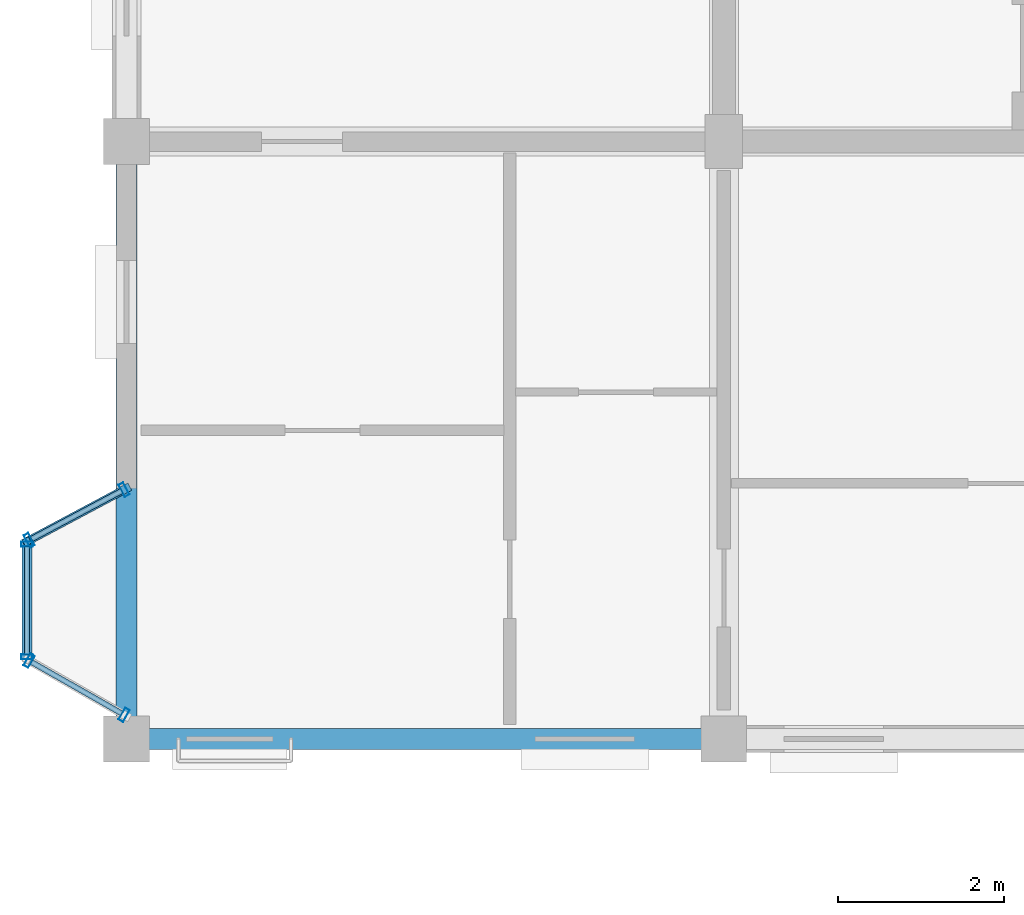
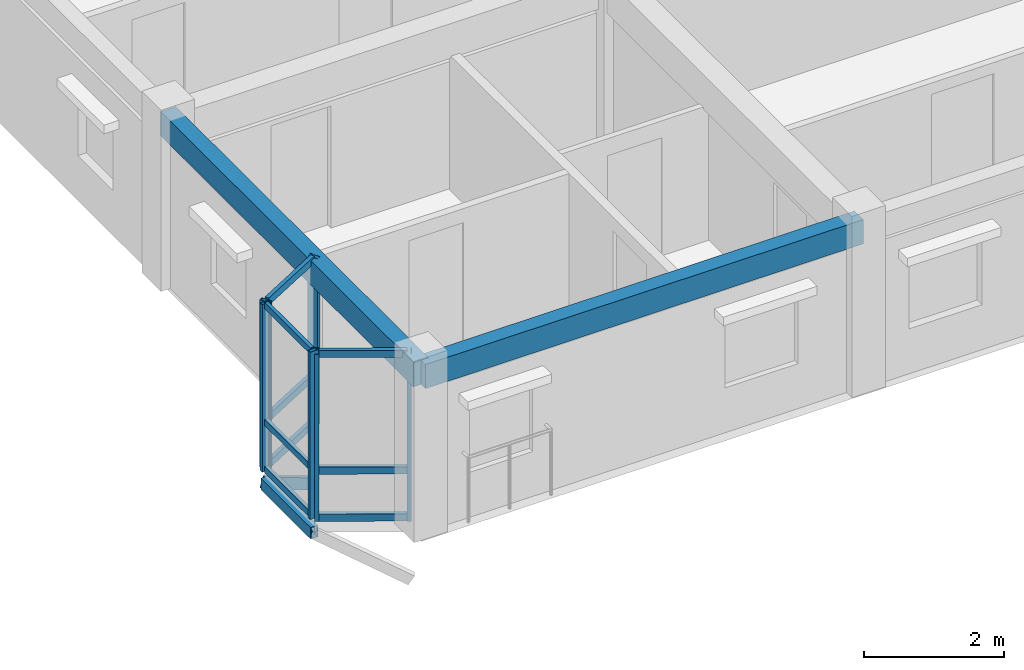
# One storey, part 13 of 75: 17 members, 2 beams, 3 elements without a shape of their own.
"""IFC4 building model written with IfcOpenShell, lengths in metres."""

from ifc_helpers import new_model, si_unit, direction, frame, origin, origin_2d, place, context, subcontext, project, spatial, rectangle, hollow_rectangle, extrude, material, layer, layer_set, material_profile, profile_set, type_object, element, aggregate, save


model = new_model("IFC4")

# Units and contexts
model_context = context("Model", 3, precision=1e-05, world=origin(), true_north=direction((0.0, 1.0)))
body_context = subcontext(model_context, "Body", "Model", "MODEL_VIEW")
ifc_project = project(units=[si_unit("LENGTHUNIT", "METRE"), si_unit("AREAUNIT", "SQUARE_METRE"), si_unit("VOLUMEUNIT", "CUBIC_METRE"), si_unit("PLANEANGLEUNIT", "RADIAN"), si_unit("MASSUNIT", "GRAM", prefix="KILO"), si_unit("THERMODYNAMICTEMPERATUREUNIT", "KELVIN"), si_unit("POWERUNIT", "WATT")], contexts=[model_context])

# Site, building, storey
site_placement = place(None, origin())
site = spatial("IfcSite", under=ifc_project, at=site_placement, CompositionType="ELEMENT")
building_placement = place(site_placement, origin())
building = spatial("IfcBuilding", under=site, at=building_placement, Name="Tavuni Mirador Residences", CompositionType="ELEMENT")
storey_placement = place(building_placement, frame((0.0, 0.0, 20.25)))
storey = spatial("IfcBuildingStorey", under=building, at=storey_placement, Name="L06", CompositionType="ELEMENT", Elevation=20.25)

# Beams
ifc_material_1 = material(Name="Precast concrete C40/50", Category="concrete")
ifc_material_profile_1 = material_profile(ifc_material_1, rectangle(XDim=0.25, YDim=0.419921875, at=origin_2d()), Name="PC 250x420", Category="concrete")
ifc_profile_set_1 = profile_set([ifc_material_profile_1], Name="Precast concrete C40/50")
beam_type = type_object("IfcBeamType", Name="BT-SP420", PredefinedType="SPANDREL", material=ifc_profile_set_1)
for number, where, z_axis, x_axis, name in (
    (1, (3.60009765625, 64.800048828125, 2.699951171875), (1.0, 0.0, 0.0), (0.0, 1.0, 0.0), "BMX-BLK-B-L06-00-00"),
    (2, (3.60009765625, 64.800048828125, 2.699951171875), (0.0, 1.0, 0.0), (-1.0, 0.0, 0.0), "BMY-BLK-B-L06-00-00"),
):
    element("IfcBeam", number, at=place(storey_placement, frame(where, z_axis=z_axis, x_axis=x_axis)), inside=storey, type_object=beam_type, Name=name, PredefinedType="SPANDREL", context=body_context, shape_type="SweptSolid", body=[
        extrude(rectangle(XDim=0.25, YDim=0.419921875, at=origin_2d()), origin(), (0.0, 0.0, 1.0), 7.199951171875),
    ])

# Curtain wall, members
ifc_material_2 = material(Name="Anodised aluminium", Category="aluminium")
ifc_layer_1 = layer(ifc_material_2, 0.175048828125, Name="Anodised aluminium", Category="aluminium")
ifc_layer_set_1 = layer_set([ifc_layer_1], Name="Anodised aluminium")
curtain_wall_type_1 = type_object("IfcCurtainWallType", Name="CWT-MIR-C", PredefinedType="NOTDEFINED", material=ifc_layer_set_1)
curtain_wall_1_placement = place(storey_placement, origin())
curtain_wall_1 = element("IfcCurtainWall", 3, at=curtain_wall_1_placement, inside=storey, type_object=curtain_wall_type_1, Name="CW-MIR-B-W1-L06-MF", PredefinedType="NOTDEFINED")
ifc_material_profile_2 = material_profile(ifc_material_2, hollow_rectangle(XDim=0.06005859375, YDim=0.139892578125, WallThickness=0.00390625, at=origin_2d()), Name="ALU 60x140x4.0", Category="aluminium")
ifc_profile_set_2 = profile_set([ifc_material_profile_2], Name="Anodised aluminium")
member_type_1 = type_object("IfcMemberType", Name="CWM-140", PredefinedType="MULLION", material=ifc_profile_set_2)
member_1_placement = place(storey_placement, frame((2.39990234375, 67.14990234375, 0.0), z_axis=(0.0, 0.0, 1.0), x_axis=(0.0, -1.0, 0.0)))
member_1 = element("IfcMember", 4, at=member_1_placement, type_object=member_type_1, Name="CW-03 mullion 1", PredefinedType="MULLION", context=body_context, shape_type="SweptSolid", body=[
    extrude(hollow_rectangle(XDim=0.06005859375, YDim=0.139892578125, WallThickness=0.00390625, at=origin_2d()), origin(), (0.0, 0.0, 1.0), 2.909912109375),
])
member_2_placement = place(storey_placement, frame((2.39990234375, 65.7900390625, 0.0), z_axis=(0.0, 0.0, 1.0), x_axis=(0.0, -1.0, 0.0)))
member_2 = element("IfcMember", 5, at=member_2_placement, type_object=member_type_1, Name="CW-03 mullion 2", PredefinedType="MULLION", context=body_context, shape_type="SweptSolid", body=[
    extrude(hollow_rectangle(XDim=0.06005859375, YDim=0.139892578125, WallThickness=0.00390625, at=origin_2d()), origin(), (0.0, 0.0, 1.0), 2.909912109375),
])

ifc_layer_2 = layer(ifc_material_2, 0.14990234375, Name="Anodised aluminium", Category="aluminium")
ifc_layer_set_2 = layer_set([ifc_layer_2], Name="Anodised aluminium")
curtain_wall_type_2 = type_object("IfcCurtainWallType", Name="CWT-MIR-B", PredefinedType="NOTDEFINED", material=ifc_layer_set_2)
curtain_wall_2_placement = place(storey_placement, origin())
curtain_wall_2 = element("IfcCurtainWall", 6, at=curtain_wall_2_placement, inside=storey, type_object=curtain_wall_type_2, Name="CW-MIR-B-W1-L06-M1", PredefinedType="NOTDEFINED")
ifc_material_profile_3 = material_profile(ifc_material_2, hollow_rectangle(XDim=0.06494140625, YDim=0.1650390625, WallThickness=0.00439453125, at=origin_2d()), Name="ALU 65x165x4.5", Category="aluminium")
ifc_profile_set_3 = profile_set([ifc_material_profile_3], Name="Anodised aluminium")
member_type_2 = type_object("IfcMemberType", Name="CWM-165", PredefinedType="MULLION", material=ifc_profile_set_3)
member_3_placement = place(storey_placement, frame((3.5712890625, 67.8046875, 0.0), z_axis=(0.0, 0.0, 1.0), x_axis=(-0.882352941175, -0.470588235296, 0.0)))
member_3 = element("IfcMember", 7, at=member_3_placement, type_object=member_type_2, Name="CW-02 mullion 1", PredefinedType="MULLION", context=body_context, shape_type="SweptSolid", body=[
    extrude(hollow_rectangle(XDim=0.06494140625, YDim=0.1650390625, WallThickness=0.00439453125, at=origin_2d()), origin(), (0.0, 0.0, 1.0), 2.909912109375),
])
member_4_placement = place(storey_placement, frame((2.4287109375, 67.1953125, 0.0), z_axis=(0.0, 0.0, 1.0), x_axis=(-0.882352941175, -0.470588235296, 0.0)))
member_4 = element("IfcMember", 8, at=member_4_placement, type_object=member_type_2, Name="CW-02 mullion 2", PredefinedType="MULLION", context=body_context, shape_type="SweptSolid", body=[
    extrude(hollow_rectangle(XDim=0.06494140625, YDim=0.1650390625, WallThickness=0.00439453125, at=origin_2d()), origin(), (0.0, 0.0, 1.0), 2.909912109375),
])

ifc_layer_3 = layer(ifc_material_2, 0.159912109375, Name="Anodised aluminium", Category="aluminium")
ifc_layer_set_3 = layer_set([ifc_layer_3], Name="Anodised aluminium")
curtain_wall_type_3 = type_object("IfcCurtainWallType", Name="CWT-MIR-D", PredefinedType="NOTDEFINED", material=ifc_layer_set_3)
curtain_wall_3_placement = place(storey_placement, origin())
curtain_wall_3 = element("IfcCurtainWall", 9, at=curtain_wall_3_placement, inside=storey, type_object=curtain_wall_type_3, Name="CW-MIR-B-W1-L06-M2", PredefinedType="NOTDEFINED")
member_5_placement = place(storey_placement, frame((2.42822265625, 65.743896484375, 0.0), z_axis=(0.0, 0.0, 1.0), x_axis=(0.868465738194, -0.495749192217, 0.0)))
member_5 = element("IfcMember", 10, at=member_5_placement, type_object=member_type_2, Name="CW-04 mullion 1", PredefinedType="MULLION", context=body_context, shape_type="SweptSolid", body=[
    extrude(hollow_rectangle(XDim=0.06494140625, YDim=0.1650390625, WallThickness=0.00439453125, at=origin_2d()), origin(), (0.0, 0.0, 1.0), 2.909912109375),
])
member_6_placement = place(storey_placement, frame((3.57177734375, 65.091064453125, 0.0), z_axis=(0.0, 0.0, 1.0), x_axis=(0.868465738194, -0.495749192217, 0.0)))
member_6 = element("IfcMember", 11, at=member_6_placement, type_object=member_type_2, Name="CW-04 mullion 2", PredefinedType="MULLION", context=body_context, shape_type="SweptSolid", body=[
    extrude(hollow_rectangle(XDim=0.06494140625, YDim=0.1650390625, WallThickness=0.00439453125, at=origin_2d()), origin(), (0.0, 0.0, 1.0), 2.909912109375),
])

# Member
ifc_material_profile_4 = material_profile(ifc_material_2, hollow_rectangle(XDim=0.06005859375, YDim=0.110107421875, WallThickness=0.00390625, at=origin_2d()), Name="ALU 60x110x4.0", Category="aluminium")
ifc_profile_set_4 = profile_set([ifc_material_profile_4], Name="Anodised aluminium")
member_type_3 = type_object("IfcMemberType", Name="CWT-110", PredefinedType="USERDEFINED", material=ifc_profile_set_4)
member_7_placement = place(storey_placement, frame((2.39990234375, 67.1201171875, 0.030029296875), z_axis=(0.0, -1.0, 0.0), x_axis=(1.0, 0.0, 0.0)))
member_7 = element("IfcMember", 12, at=member_7_placement, type_object=member_type_3, Name="CW-03 transom 1.1", ObjectType="TRANSOM", PredefinedType="USERDEFINED", context=body_context, shape_type="SweptSolid", body=[
    extrude(hollow_rectangle(XDim=0.06005859375, YDim=0.110107421875, WallThickness=0.00390625, at=origin_2d()), origin(), (0.0, 0.0, 1.0), 1.300048828125),
])

member_8_placement = place(storey_placement, frame((2.39990234375, 67.1201171875, 0.85009765625), z_axis=(0.0, -1.0, 0.0), x_axis=(1.0, 0.0, 0.0)))
member_8 = element("IfcMember", 13, at=member_8_placement, type_object=member_type_3, Name="CW-03 transom 1.2", ObjectType="TRANSOM", PredefinedType="USERDEFINED", context=body_context, shape_type="SweptSolid", body=[
    extrude(hollow_rectangle(XDim=0.06005859375, YDim=0.110107421875, WallThickness=0.00390625, at=origin_2d()), origin(), (0.0, 0.0, 1.0), 1.300048828125),
])

member_9_placement = place(storey_placement, frame((2.39990234375, 67.1201171875, 2.8798828125), z_axis=(0.0, -1.0, 0.0), x_axis=(1.0, 0.0, 0.0)))
member_9 = element("IfcMember", 14, at=member_9_placement, type_object=member_type_3, Name="CW-03 transom 1.3", ObjectType="TRANSOM", PredefinedType="USERDEFINED", context=body_context, shape_type="SweptSolid", body=[
    extrude(hollow_rectangle(XDim=0.06005859375, YDim=0.110107421875, WallThickness=0.00390625, at=origin_2d()), origin(), (0.0, 0.0, 1.0), 1.300048828125),
])

aggregate(curtain_wall_1, [member_1, member_2, member_7, member_8, member_9])

ifc_material_profile_5 = material_profile(ifc_material_2, hollow_rectangle(XDim=0.06494140625, YDim=0.125, WallThickness=0.00439453125, at=origin_2d()), Name="ALU 65x125x4.5", Category="aluminium")
ifc_profile_set_5 = profile_set([ifc_material_profile_5], Name="Anodised aluminium")
member_type_4 = type_object("IfcMemberType", Name="CWT-125", PredefinedType="USERDEFINED", material=ifc_profile_set_5)
member_10_placement = place(storey_placement, frame((3.542724609375, 67.789306640625, 0.032470703125), z_axis=(-0.882451819392, -0.470402791714, 0.0), x_axis=(0.470402791714, -0.882451819392, 0.0)))
member_10 = element("IfcMember", 15, at=member_10_placement, type_object=member_type_4, Name="CW-02 transom 1.1", ObjectType="TRANSOM", PredefinedType="USERDEFINED", context=body_context, shape_type="SweptSolid", body=[
    extrude(hollow_rectangle(XDim=0.06494140625, YDim=0.125, WallThickness=0.00439453125, at=origin_2d()), origin(), (0.0, 0.0, 1.0), 1.22998046875),
])

member_11_placement = place(storey_placement, frame((3.542724609375, 67.789306640625, 0.85009765625), z_axis=(-0.882451819392, -0.470402791714, 0.0), x_axis=(0.470402791714, -0.882451819392, 0.0)))
member_11 = element("IfcMember", 16, at=member_11_placement, type_object=member_type_4, Name="CW-02 transom 1.2", ObjectType="TRANSOM", PredefinedType="USERDEFINED", context=body_context, shape_type="SweptSolid", body=[
    extrude(hollow_rectangle(XDim=0.06494140625, YDim=0.125, WallThickness=0.00439453125, at=origin_2d()), origin(), (0.0, 0.0, 1.0), 1.22998046875),
])

member_12_placement = place(storey_placement, frame((3.542724609375, 67.789306640625, 2.87744140625), z_axis=(-0.882451819392, -0.470402791714, 0.0), x_axis=(0.470402791714, -0.882451819392, 0.0)))
member_12 = element("IfcMember", 17, at=member_12_placement, type_object=member_type_4, Name="CW-02 transom 1.3", ObjectType="TRANSOM", PredefinedType="USERDEFINED", context=body_context, shape_type="SweptSolid", body=[
    extrude(hollow_rectangle(XDim=0.06494140625, YDim=0.125, WallThickness=0.00439453125, at=origin_2d()), origin(), (0.0, 0.0, 1.0), 1.22998046875),
])

aggregate(curtain_wall_2, [member_3, member_4, member_10, member_11, member_12])

member_13_placement = place(storey_placement, frame((2.45654296875, 65.727783203125, 0.032470703125), z_axis=(0.868411144788, -0.495844818071, 0.0), x_axis=(0.495844818071, 0.868411144788, 0.0)))
member_13 = element("IfcMember", 18, at=member_13_placement, type_object=member_type_4, Name="CW-04 transom 1.1", ObjectType="TRANSOM", PredefinedType="USERDEFINED", context=body_context, shape_type="SweptSolid", body=[
    extrude(hollow_rectangle(XDim=0.06494140625, YDim=0.125, WallThickness=0.00439453125, at=origin_2d()), origin(), (0.0, 0.0, 1.0), 1.251708984375),
])

member_14_placement = place(storey_placement, frame((2.45654296875, 65.727783203125, 0.85009765625), z_axis=(0.868411144788, -0.495844818071, 0.0), x_axis=(0.495844818071, 0.868411144788, 0.0)))
member_14 = element("IfcMember", 19, at=member_14_placement, type_object=member_type_4, Name="CW-04 transom 1.2", ObjectType="TRANSOM", PredefinedType="USERDEFINED", context=body_context, shape_type="SweptSolid", body=[
    extrude(hollow_rectangle(XDim=0.06494140625, YDim=0.125, WallThickness=0.00439453125, at=origin_2d()), origin(), (0.0, 0.0, 1.0), 1.251708984375),
])

member_15_placement = place(storey_placement, frame((2.45654296875, 65.727783203125, 2.87744140625), z_axis=(0.868411144788, -0.495844818071, 0.0), x_axis=(0.495844818071, 0.868411144788, 0.0)))
member_15 = element("IfcMember", 20, at=member_15_placement, type_object=member_type_4, Name="CW-04 transom 1.3", ObjectType="TRANSOM", PredefinedType="USERDEFINED", context=body_context, shape_type="SweptSolid", body=[
    extrude(hollow_rectangle(XDim=0.06494140625, YDim=0.125, WallThickness=0.00439453125, at=origin_2d()), origin(), (0.0, 0.0, 1.0), 1.251708984375),
])

aggregate(curtain_wall_3, [member_5, member_6, member_13, member_14, member_15])

# Members
ifc_material_3 = material(Name="Structural steel S355", Category="steel")
ifc_material_profile_6 = material_profile(ifc_material_3, hollow_rectangle(XDim=0.10009765625, YDim=0.179931640625, WallThickness=0.008056640625, at=origin_2d()), Name="RHS 180x100x8.0", Category="steel")
ifc_profile_set_6 = profile_set([ifc_material_profile_6], Name="Structural steel S355")
member_type_5 = type_object("IfcMemberType", Name="MT-BR-RHS180", PredefinedType="BRACE", material=ifc_profile_set_6)
member_16_placement = place(storey_placement, frame((3.60009765625, 67.820068359375, -1.050048828125), z_axis=(-0.758094559112, -0.404337659478, 0.511667564511), x_axis=(0.470606866739, -0.882343004153, 0.0)))
element("IfcMember", 21, at=member_16_placement, inside=storey, type_object=member_type_5, Name="MBRK-MIR-B-W1-L06-2", PredefinedType="BRACE", context=body_context, shape_type="SweptSolid", body=[
    extrude(hollow_rectangle(XDim=0.10009765625, YDim=0.179931640625, WallThickness=0.008056640625, at=origin_2d()), origin(), (0.0, 0.0, 1.0), 1.583251953125),
])
ifc_material_profile_7 = material_profile(ifc_material_3, hollow_rectangle(XDim=0.1201171875, YDim=0.199951171875, WallThickness=0.010009765625, at=origin_2d()), Name="RHS 200x120x10.0", Category="steel")
ifc_profile_set_7 = profile_set([ifc_material_profile_7], Name="Structural steel S355")
member_type_6 = type_object("IfcMemberType", Name="MT-ST-RHS200", PredefinedType="STRUT", material=ifc_profile_set_7)
member_17_placement = place(storey_placement, frame((2.39990234375, 65.760009765625, -0.239990234375), z_axis=(0.0, 1.0, 0.0), x_axis=(-1.0, 0.0, 0.0)))
element("IfcMember", 22, at=member_17_placement, inside=storey, type_object=member_type_6, Name="MRIM-MIR-B-W1-L06", PredefinedType="STRUT", context=body_context, shape_type="SweptSolid", body=[
    extrude(hollow_rectangle(XDim=0.1201171875, YDim=0.199951171875, WallThickness=0.010009765625, at=origin_2d()), origin(), (0.0, 0.0, 1.0), 1.419921875),
])

save(model, "model.ifc")
